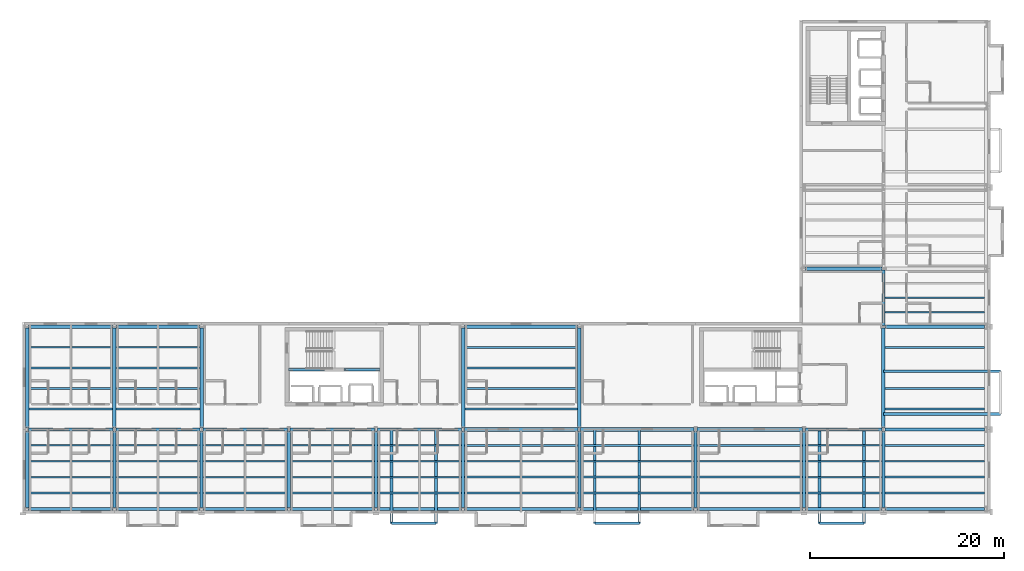
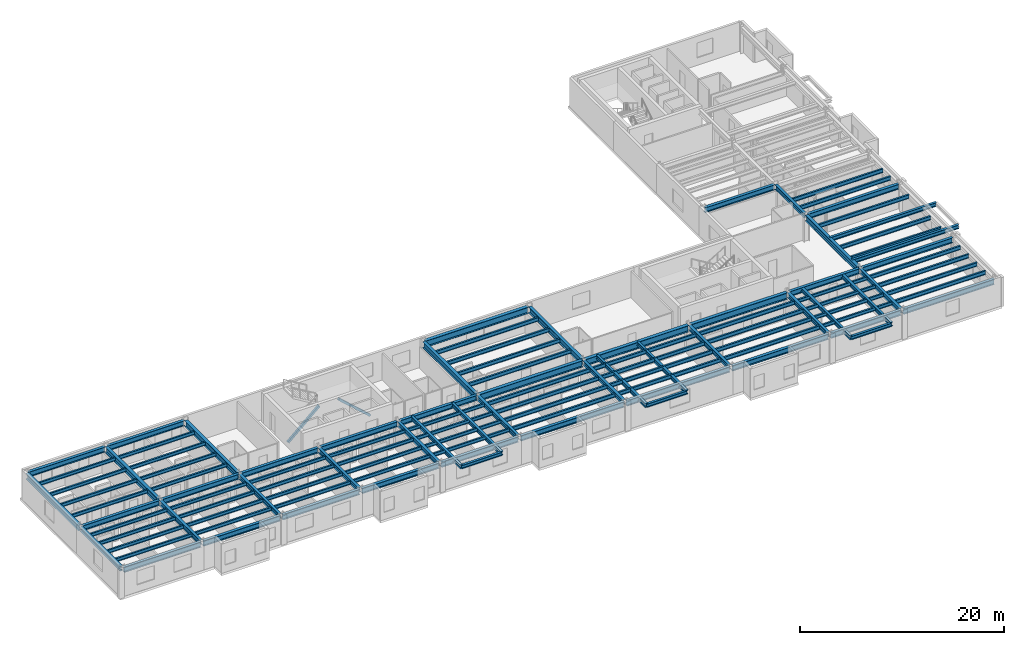
# One storey, part 4 of 17: 110 beams, 2 members.
"""IFC4 building model written with IfcOpenShell, lengths in metres."""

from ifc_helpers import new_model, si_unit, direction, frame, origin, origin_2d, place, context, subcontext, project, spatial, hollow_rectangle, i_section, extrude, material, material_profile, profile_set, type_object, element, save


model = new_model("IFC4")

# Units and contexts
model_context = context("Model", 3, precision=1e-05, world=origin(), true_north=direction((0.0, 1.0)))
body_context = subcontext(model_context, "Body", "Model", "MODEL_VIEW")
ifc_project = project(units=[si_unit("LENGTHUNIT", "METRE"), si_unit("AREAUNIT", "SQUARE_METRE"), si_unit("VOLUMEUNIT", "CUBIC_METRE"), si_unit("PLANEANGLEUNIT", "RADIAN"), si_unit("MASSUNIT", "GRAM", prefix="KILO")], contexts=[model_context])

# Site, building, storey
site_placement = place(None, origin())
site = spatial("IfcSite", under=ifc_project, at=site_placement, CompositionType="ELEMENT")
building_placement = place(site_placement, origin())
building = spatial("IfcBuilding", under=site, at=building_placement, Name="Sollismere Congress Hotel", CompositionType="ELEMENT")
storey_placement = place(building_placement, frame((0.0, 0.0, 37.60009765625)))
storey = spatial("IfcBuildingStorey", under=building, at=storey_placement, Name="L09", CompositionType="ELEMENT", Elevation=37.60009765625)

# Beams
ifc_material_1 = material(Name="Steel ASTM A992 Grade 50", Category="steel")
ifc_material_profile_1 = material_profile(ifc_material_1, i_section(OverallWidth=0.281982421875, OverallDepth=0.471923828125, WebThickness=0.013671875, FlangeThickness=0.022216796875, at=origin_2d()), Name="W18X97")
ifc_profile_set_1 = profile_set([ifc_material_profile_1], Name="Steel ASTM A992 Grade 50")
beam_type_1 = type_object("IfcBeamType", Name="BM-CK18E", PredefinedType="BEAM", material=ifc_profile_set_1)
for number, where, z_axis, x_axis, name in (
    (1, (104.60009765625, 8.199951171875, 2.989013671875), (0.0, -1.0, 0.0), (1.0, 0.0, 0.0), "Beam BM-L09-4033"),
    (2, (109.199951171875, 8.199951171875, 2.989013671875), (0.0, -1.0, 0.0), (1.0, 0.0, 0.0), "Beam BM-L09-4034"),
    (3, (125.60009765625, 8.199951171875, 2.989013671875), (0.0, -1.0, 0.0), (1.0, 0.0, 0.0), "Beam BM-L09-4036"),
    (4, (130.199951171875, 8.199951171875, 2.989013671875), (0.0, -1.0, 0.0), (1.0, 0.0, 0.0), "Beam BM-L09-4037"),
    (5, (148.800048828125, 8.199951171875, 2.989013671875), (0.0, -1.0, 0.0), (1.0, 0.0, 0.0), "Beam BM-L09-4039"),
    (6, (153.39990234375, 8.199951171875, 2.989013671875), (0.0, -1.0, 0.0), (1.0, 0.0, 0.0), "Beam BM-L09-4040"),
):
    element("IfcBeam", number, at=place(storey_placement, frame(where, z_axis=z_axis, x_axis=x_axis)), inside=storey, type_object=beam_type_1, Name=name, PredefinedType="BEAM", context=body_context, shape_type="SweptSolid", body=[
        extrude(i_section(OverallWidth=0.281982421875, OverallDepth=0.471923828125, WebThickness=0.013671875, FlangeThickness=0.022216796875, at=origin_2d()), origin(), (0.0, 0.0, 1.0), 9.68994140625),
    ])
for number, where, z_axis, x_axis, name in (
    (7, (155.39990234375, 9.800048828125, 2.989013671875), (1.0, 0.0, 0.0), (0.0, 1.0, 0.0), "Beam BM-L09-4042"),
    (8, (155.39990234375, 14.199951171875, 2.989013671875), (1.0, 0.0, 0.0), (0.0, 1.0, 0.0), "Beam BM-L09-4043"),
):
    element("IfcBeam", number, at=place(storey_placement, frame(where, z_axis=z_axis, x_axis=x_axis)), inside=storey, type_object=beam_type_1, Name=name, PredefinedType="BEAM", context=body_context, shape_type="SweptSolid", body=[
        extrude(i_section(OverallWidth=0.281982421875, OverallDepth=0.471923828125, WebThickness=0.013671875, FlangeThickness=0.022216796875, at=origin_2d()), origin(), (0.0, 0.0, 1.0), 12.090087890625),
    ])
ifc_material_profile_2 = material_profile(ifc_material_1, i_section(OverallWidth=0.31494140625, OverallDepth=0.551025390625, WebThickness=0.01513671875, FlangeThickness=0.0244140625, at=origin_2d()), Name="W21X122")
ifc_profile_set_2 = profile_set([ifc_material_profile_2], Name="Steel ASTM A992 Grade 50")
beam_type_2 = type_object("IfcBeamType", Name="BM-G21H", PredefinedType="BEAM", material=ifc_profile_set_2)
for number, where, z_axis, x_axis, name in (
    (9, (67.0, 0.139892578125, 2.949462890625), (0.0, 1.0, 0.0), (-1.0, 0.0, 0.0), "Beam BM-L09-3555"),
    (10, (76.0, 0.139892578125, 2.949462890625), (0.0, 1.0, 0.0), (-1.0, 0.0, 0.0), "Beam BM-L09-3557"),
    (11, (85.0, 0.139892578125, 2.949462890625), (0.0, 1.0, 0.0), (-1.0, 0.0, 0.0), "Beam BM-L09-3559"),
    (12, (94.0, 0.139892578125, 2.949462890625), (0.0, 1.0, 0.0), (-1.0, 0.0, 0.0), "Beam BM-L09-3561"),
    (13, (103.0, 0.139892578125, 2.949462890625), (0.0, 1.0, 0.0), (-1.0, 0.0, 0.0), "Beam BM-L09-3562"),
    (14, (112.0, 0.139892578125, 2.949462890625), (0.0, 1.0, 0.0), (-1.0, 0.0, 0.0), "Beam BM-L09-3563"),
    (15, (124.0, 0.139892578125, 2.949462890625), (0.0, 1.0, 0.0), (-1.0, 0.0, 0.0), "Beam BM-L09-3565"),
    (16, (136.0, 0.139892578125, 2.949462890625), (0.0, 1.0, 0.0), (-1.0, 0.0, 0.0), "Beam BM-L09-3567"),
    (17, (147.199951171875, 0.139892578125, 2.949462890625), (0.0, 1.0, 0.0), (-1.0, 0.0, 0.0), "Beam BM-L09-3568"),
    (18, (155.39990234375, 0.139892578125, 2.949462890625), (0.0, 1.0, 0.0), (-1.0, 0.0, 0.0), "Beam BM-L09-3570"),
):
    element("IfcBeam", number, at=place(storey_placement, frame(where, z_axis=z_axis, x_axis=x_axis)), inside=storey, type_object=beam_type_2, Name=name, PredefinedType="BEAM", context=body_context, shape_type="SweptSolid", body=[
        extrude(i_section(OverallWidth=0.31494140625, OverallDepth=0.551025390625, WebThickness=0.01513671875, FlangeThickness=0.0244140625, at=origin_2d()), origin(), (0.0, 0.0, 1.0), 7.920166015625),
    ])
beam_1_placement = place(storey_placement, frame((155.39990234375, 18.93994140625, 2.949462890625), z_axis=(0.0, 1.0, 0.0), x_axis=(-1.0, 0.0, 0.0)))
element("IfcBeam", 19, at=beam_1_placement, inside=storey, type_object=beam_type_2, Name="Beam BM-L09-3572", PredefinedType="BEAM", context=body_context, shape_type="SweptSolid", body=[
    extrude(i_section(OverallWidth=0.31494140625, OverallDepth=0.551025390625, WebThickness=0.01513671875, FlangeThickness=0.0244140625, at=origin_2d()), origin(), (0.0, 0.0, 1.0), 5.719970703125),
])
ifc_material_profile_3 = material_profile(ifc_material_1, i_section(OverallWidth=0.324951171875, OverallDepth=0.612060546875, WebThickness=0.0126953125, FlangeThickness=0.01904296875, at=origin_2d()), Name="W24X104")
ifc_profile_set_3 = profile_set([ifc_material_profile_3], Name="Steel ASTM A992 Grade 50")
beam_type_3 = type_object("IfcBeamType", Name="BM-G24", PredefinedType="BEAM", material=ifc_profile_set_3)
for number, where, z_axis, x_axis, name in (
    (20, (67.139892578125, 8.199951171875, 2.9189453125), (1.0, 0.0, 0.0), (0.0, 1.0, 0.0), "Beam BM-L09-3537"),
    (21, (76.139892578125, 8.199951171875, 2.9189453125), (1.0, 0.0, 0.0), (0.0, 1.0, 0.0), "Beam BM-L09-3538"),
    (22, (85.139892578125, 8.199951171875, 2.9189453125), (1.0, 0.0, 0.0), (0.0, 1.0, 0.0), "Beam BM-L09-3539"),
    (23, (94.139892578125, 8.199951171875, 2.9189453125), (1.0, 0.0, 0.0), (0.0, 1.0, 0.0), "Beam BM-L09-3540"),
    (24, (103.139892578125, 8.199951171875, 2.9189453125), (1.0, 0.0, 0.0), (0.0, 1.0, 0.0), "Beam BM-L09-3541"),
):
    element("IfcBeam", number, at=place(storey_placement, frame(where, z_axis=z_axis, x_axis=x_axis)), inside=storey, type_object=beam_type_3, Name=name, PredefinedType="BEAM", context=body_context, shape_type="SweptSolid", body=[
        extrude(i_section(OverallWidth=0.324951171875, OverallDepth=0.612060546875, WebThickness=0.0126953125, FlangeThickness=0.01904296875, at=origin_2d()), origin(), (0.0, 0.0, 1.0), 8.72021484375),
    ])
beam_2_placement = place(storey_placement, frame((147.340087890625, 8.199951171875, 2.9189453125), z_axis=(1.0, 0.0, 0.0), x_axis=(0.0, 1.0, 0.0)))
element("IfcBeam", 25, at=beam_2_placement, inside=storey, type_object=beam_type_3, Name="Beam BM-L09-3545", PredefinedType="BEAM", context=body_context, shape_type="SweptSolid", body=[
    extrude(i_section(OverallWidth=0.324951171875, OverallDepth=0.612060546875, WebThickness=0.0126953125, FlangeThickness=0.01904296875, at=origin_2d()), origin(), (0.0, 0.0, 1.0), 7.919921875),
])
beam_3_placement = place(storey_placement, frame((155.5400390625, 8.199951171875, 2.9189453125), z_axis=(1.0, 0.0, 0.0), x_axis=(0.0, 1.0, 0.0)))
element("IfcBeam", 26, at=beam_3_placement, inside=storey, type_object=beam_type_3, Name="Beam BM-L09-3546", PredefinedType="BEAM", context=body_context, shape_type="SweptSolid", body=[
    extrude(i_section(OverallWidth=0.324951171875, OverallDepth=0.612060546875, WebThickness=0.0126953125, FlangeThickness=0.01904296875, at=origin_2d()), origin(), (0.0, 0.0, 1.0), 10.320068359375),
])
for number, where, z_axis, x_axis, name in (
    (27, (67.139892578125, 18.800048828125, 2.9189453125), (1.0, 0.0, 0.0), (0.0, 1.0, 0.0), "Beam BM-L09-3547"),
    (28, (76.139892578125, 18.800048828125, 2.9189453125), (1.0, 0.0, 0.0), (0.0, 1.0, 0.0), "Beam BM-L09-3548"),
):
    element("IfcBeam", number, at=place(storey_placement, frame(where, z_axis=z_axis, x_axis=x_axis)), inside=storey, type_object=beam_type_3, Name=name, PredefinedType="BEAM", context=body_context, shape_type="SweptSolid", body=[
        extrude(i_section(OverallWidth=0.324951171875, OverallDepth=0.612060546875, WebThickness=0.0126953125, FlangeThickness=0.01904296875, at=origin_2d()), origin(), (0.0, 0.0, 1.0), 8.72021484375),
    ])
beam_4_placement = place(storey_placement, frame((155.5400390625, 18.800048828125, 2.9189453125), z_axis=(1.0, 0.0, 0.0), x_axis=(0.0, 1.0, 0.0)))
element("IfcBeam", 29, at=beam_4_placement, inside=storey, type_object=beam_type_3, Name="Beam BM-L09-3550", PredefinedType="BEAM", context=body_context, shape_type="SweptSolid", body=[
    extrude(i_section(OverallWidth=0.324951171875, OverallDepth=0.612060546875, WebThickness=0.0126953125, FlangeThickness=0.01904296875, at=origin_2d()), origin(), (0.0, 0.0, 1.0), 10.320068359375),
])
beam_5_placement = place(storey_placement, frame((147.340087890625, 24.800048828125, 2.9189453125), z_axis=(1.0, 0.0, 0.0), x_axis=(0.0, 1.0, 0.0)))
element("IfcBeam", 30, at=beam_5_placement, inside=storey, type_object=beam_type_3, Name="Beam BM-L09-3551", PredefinedType="BEAM", context=body_context, shape_type="SweptSolid", body=[
    extrude(i_section(OverallWidth=0.324951171875, OverallDepth=0.612060546875, WebThickness=0.0126953125, FlangeThickness=0.01904296875, at=origin_2d()), origin(), (0.0, 0.0, 1.0), 7.919921875),
])
ifc_material_profile_4 = material_profile(ifc_material_1, i_section(OverallWidth=0.35595703125, OverallDepth=0.696044921875, WebThickness=0.015380859375, FlangeThickness=0.025146484375, at=origin_2d()), Name="W27X146")
ifc_profile_set_4 = profile_set([ifc_material_profile_4], Name="Steel ASTM A992 Grade 50")
beam_type_4 = type_object("IfcBeamType", Name="BM-G27", PredefinedType="BEAM", material=ifc_profile_set_4)
for number, where, z_axis, x_axis, name in (
    (31, (67.0, 8.340087890625, 2.876953125), (0.0, 1.0, 0.0), (-1.0, 0.0, 0.0), "Beam BM-L09-3556"),
    (32, (76.0, 8.340087890625, 2.876953125), (0.0, 1.0, 0.0), (-1.0, 0.0, 0.0), "Beam BM-L09-3558"),
    (33, (85.0, 8.340087890625, 2.876953125), (0.0, 1.0, 0.0), (-1.0, 0.0, 0.0), "Beam BM-L09-3560"),
    (34, (112.0, 8.340087890625, 2.876953125), (0.0, 1.0, 0.0), (-1.0, 0.0, 0.0), "Beam BM-L09-3564"),
    (35, (124.0, 8.340087890625, 2.876953125), (0.0, 1.0, 0.0), (-1.0, 0.0, 0.0), "Beam BM-L09-3566"),
    (36, (155.39990234375, 8.340087890625, 2.876953125), (0.0, 1.0, 0.0), (-1.0, 0.0, 0.0), "Beam BM-L09-3571"),
):
    element("IfcBeam", number, at=place(storey_placement, frame(where, z_axis=z_axis, x_axis=x_axis)), inside=storey, type_object=beam_type_4, Name=name, PredefinedType="BEAM", context=body_context, shape_type="SweptSolid", body=[
        extrude(i_section(OverallWidth=0.35595703125, OverallDepth=0.696044921875, WebThickness=0.015380859375, FlangeThickness=0.025146484375, at=origin_2d()), origin(), (0.0, 0.0, 1.0), 10.31982421875),
    ])
ifc_material_profile_5 = material_profile(ifc_material_1, i_section(OverallWidth=0.384033203125, OverallDepth=0.787109375, WebThickness=0.019775390625, FlangeThickness=0.033447265625, at=origin_2d()), Name="W30X211")
ifc_profile_set_5 = profile_set([ifc_material_profile_5], Name="Steel ASTM A992 Grade 50")
beam_type_5 = type_object("IfcBeamType", Name="BM-G30", PredefinedType="BEAM", material=ifc_profile_set_5)
for number, where, z_axis, x_axis, name in (
    (37, (112.139892578125, 8.199951171875, 2.831298828125), (1.0, 0.0, 0.0), (0.0, 1.0, 0.0), "Beam BM-L09-3542"),
    (38, (124.139892578125, 8.199951171875, 2.831298828125), (1.0, 0.0, 0.0), (0.0, 1.0, 0.0), "Beam BM-L09-3543"),
):
    element("IfcBeam", number, at=place(storey_placement, frame(where, z_axis=z_axis, x_axis=x_axis)), inside=storey, type_object=beam_type_5, Name=name, PredefinedType="BEAM", context=body_context, shape_type="SweptSolid", body=[
        extrude(i_section(OverallWidth=0.384033203125, OverallDepth=0.787109375, WebThickness=0.019775390625, FlangeThickness=0.033447265625, at=origin_2d()), origin(), (0.0, 0.0, 1.0), 11.72021484375),
    ])
beam_6_placement = place(storey_placement, frame((136.139892578125, 8.199951171875, 2.831298828125), z_axis=(1.0, 0.0, 0.0), x_axis=(0.0, 1.0, 0.0)))
element("IfcBeam", 39, at=beam_6_placement, inside=storey, type_object=beam_type_5, Name="Beam BM-L09-3544", PredefinedType="BEAM", context=body_context, shape_type="SweptSolid", body=[
    extrude(i_section(OverallWidth=0.384033203125, OverallDepth=0.787109375, WebThickness=0.019775390625, FlangeThickness=0.033447265625, at=origin_2d()), origin(), (0.0, 0.0, 1.0), 10.920166015625),
])
beam_7_placement = place(storey_placement, frame((112.139892578125, 18.800048828125, 2.831298828125), z_axis=(1.0, 0.0, 0.0), x_axis=(0.0, 1.0, 0.0)))
element("IfcBeam", 40, at=beam_7_placement, inside=storey, type_object=beam_type_5, Name="Beam BM-L09-3549", PredefinedType="BEAM", context=body_context, shape_type="SweptSolid", body=[
    extrude(i_section(OverallWidth=0.384033203125, OverallDepth=0.787109375, WebThickness=0.019775390625, FlangeThickness=0.033447265625, at=origin_2d()), origin(), (0.0, 0.0, 1.0), 11.72021484375),
])
ifc_material_profile_6 = material_profile(ifc_material_1, i_section(OverallWidth=0.180908203125, OverallDepth=0.4169921875, WebThickness=0.010986328125, FlangeThickness=0.018310546875, at=origin_2d()), Name="W16X57")
ifc_profile_set_6 = profile_set([ifc_material_profile_6], Name="Steel ASTM A992 Grade 50")
beam_type_6 = type_object("IfcBeamType", Name="BM-J16", PredefinedType="JOIST", material=ifc_profile_set_6)
for number, where, z_axis, x_axis, name in (
    (41, (67.157470703125, 1.639892578125, 3.016357421875), (1.0, 0.0, 0.0), (0.0, 1.0, 0.0), "Beam BM-L09-3580"),
    (42, (67.157470703125, 3.280029296875, 3.016357421875), (1.0, 0.0, 0.0), (0.0, 1.0, 0.0), "Beam BM-L09-3581"),
    (43, (67.157470703125, 4.919921875, 3.016357421875), (1.0, 0.0, 0.0), (0.0, 1.0, 0.0), "Beam BM-L09-3582"),
    (44, (67.157470703125, 6.56005859375, 3.016357421875), (1.0, 0.0, 0.0), (0.0, 1.0, 0.0), "Beam BM-L09-3583"),
):
    element("IfcBeam", number, at=place(storey_placement, frame(where, z_axis=z_axis, x_axis=x_axis)), inside=storey, type_object=beam_type_6, Name=name, PredefinedType="JOIST", context=body_context, shape_type="SweptSolid", body=[
        extrude(i_section(OverallWidth=0.180908203125, OverallDepth=0.4169921875, WebThickness=0.010986328125, FlangeThickness=0.018310546875, at=origin_2d()), origin(), (0.0, 0.0, 1.0), 8.68505859375),
    ])
for number, where, z_axis, x_axis, name in (
    (45, (67.177978515625, 10.320068359375, 3.016357421875), (1.0, 0.0, 0.0), (0.0, 1.0, 0.0), "Beam BM-L09-3584"),
    (46, (67.177978515625, 12.43994140625, 3.016357421875), (1.0, 0.0, 0.0), (0.0, 1.0, 0.0), "Beam BM-L09-3585"),
    (47, (67.177978515625, 14.56005859375, 3.016357421875), (1.0, 0.0, 0.0), (0.0, 1.0, 0.0), "Beam BM-L09-3586"),
    (48, (67.177978515625, 16.679931640625, 3.016357421875), (1.0, 0.0, 0.0), (0.0, 1.0, 0.0), "Beam BM-L09-3587"),
):
    element("IfcBeam", number, at=place(storey_placement, frame(where, z_axis=z_axis, x_axis=x_axis)), inside=storey, type_object=beam_type_6, Name=name, PredefinedType="JOIST", context=body_context, shape_type="SweptSolid", body=[
        extrude(i_section(OverallWidth=0.180908203125, OverallDepth=0.4169921875, WebThickness=0.010986328125, FlangeThickness=0.018310546875, at=origin_2d()), origin(), (0.0, 0.0, 1.0), 8.64404296875),
    ])
for number, where, z_axis, x_axis, name in (
    (49, (76.157470703125, 1.639892578125, 3.016357421875), (1.0, 0.0, 0.0), (0.0, 1.0, 0.0), "Beam BM-L09-3588"),
    (50, (76.157470703125, 3.280029296875, 3.016357421875), (1.0, 0.0, 0.0), (0.0, 1.0, 0.0), "Beam BM-L09-3589"),
    (51, (76.157470703125, 4.919921875, 3.016357421875), (1.0, 0.0, 0.0), (0.0, 1.0, 0.0), "Beam BM-L09-3590"),
    (52, (76.157470703125, 6.56005859375, 3.016357421875), (1.0, 0.0, 0.0), (0.0, 1.0, 0.0), "Beam BM-L09-3591"),
):
    element("IfcBeam", number, at=place(storey_placement, frame(where, z_axis=z_axis, x_axis=x_axis)), inside=storey, type_object=beam_type_6, Name=name, PredefinedType="JOIST", context=body_context, shape_type="SweptSolid", body=[
        extrude(i_section(OverallWidth=0.180908203125, OverallDepth=0.4169921875, WebThickness=0.010986328125, FlangeThickness=0.018310546875, at=origin_2d()), origin(), (0.0, 0.0, 1.0), 8.68505859375),
    ])
for number, where, z_axis, x_axis, name in (
    (53, (76.177978515625, 10.320068359375, 3.016357421875), (1.0, 0.0, 0.0), (0.0, 1.0, 0.0), "Beam BM-L09-3592"),
    (54, (76.177978515625, 12.43994140625, 3.016357421875), (1.0, 0.0, 0.0), (0.0, 1.0, 0.0), "Beam BM-L09-3593"),
    (55, (76.177978515625, 14.56005859375, 3.016357421875), (1.0, 0.0, 0.0), (0.0, 1.0, 0.0), "Beam BM-L09-3594"),
    (56, (76.177978515625, 16.679931640625, 3.016357421875), (1.0, 0.0, 0.0), (0.0, 1.0, 0.0), "Beam BM-L09-3595"),
):
    element("IfcBeam", number, at=place(storey_placement, frame(where, z_axis=z_axis, x_axis=x_axis)), inside=storey, type_object=beam_type_6, Name=name, PredefinedType="JOIST", context=body_context, shape_type="SweptSolid", body=[
        extrude(i_section(OverallWidth=0.180908203125, OverallDepth=0.4169921875, WebThickness=0.010986328125, FlangeThickness=0.018310546875, at=origin_2d()), origin(), (0.0, 0.0, 1.0), 8.64404296875),
    ])
for number, where, z_axis, x_axis, name in (
    (57, (85.157470703125, 1.639892578125, 3.016357421875), (1.0, 0.0, 0.0), (0.0, 1.0, 0.0), "Beam BM-L09-3596"),
    (58, (85.157470703125, 3.280029296875, 3.016357421875), (1.0, 0.0, 0.0), (0.0, 1.0, 0.0), "Beam BM-L09-3597"),
    (59, (85.157470703125, 4.919921875, 3.016357421875), (1.0, 0.0, 0.0), (0.0, 1.0, 0.0), "Beam BM-L09-3598"),
    (60, (85.157470703125, 6.56005859375, 3.016357421875), (1.0, 0.0, 0.0), (0.0, 1.0, 0.0), "Beam BM-L09-3599"),
    (61, (94.157470703125, 1.639892578125, 3.016357421875), (1.0, 0.0, 0.0), (0.0, 1.0, 0.0), "Beam BM-L09-3600"),
    (62, (94.157470703125, 3.280029296875, 3.016357421875), (1.0, 0.0, 0.0), (0.0, 1.0, 0.0), "Beam BM-L09-3601"),
    (63, (94.157470703125, 4.919921875, 3.016357421875), (1.0, 0.0, 0.0), (0.0, 1.0, 0.0), "Beam BM-L09-3602"),
    (64, (94.157470703125, 6.56005859375, 3.016357421875), (1.0, 0.0, 0.0), (0.0, 1.0, 0.0), "Beam BM-L09-3603"),
    (65, (103.157470703125, 1.639892578125, 3.016357421875), (1.0, 0.0, 0.0), (0.0, 1.0, 0.0), "Beam BM-L09-3604"),
    (66, (103.157470703125, 3.280029296875, 3.016357421875), (1.0, 0.0, 0.0), (0.0, 1.0, 0.0), "Beam BM-L09-3605"),
    (67, (103.157470703125, 4.919921875, 3.016357421875), (1.0, 0.0, 0.0), (0.0, 1.0, 0.0), "Beam BM-L09-3606"),
    (68, (103.157470703125, 6.56005859375, 3.016357421875), (1.0, 0.0, 0.0), (0.0, 1.0, 0.0), "Beam BM-L09-3607"),
):
    element("IfcBeam", number, at=place(storey_placement, frame(where, z_axis=z_axis, x_axis=x_axis)), inside=storey, type_object=beam_type_6, Name=name, PredefinedType="JOIST", context=body_context, shape_type="SweptSolid", body=[
        extrude(i_section(OverallWidth=0.180908203125, OverallDepth=0.4169921875, WebThickness=0.010986328125, FlangeThickness=0.018310546875, at=origin_2d()), origin(), (0.0, 0.0, 1.0), 8.68505859375),
    ])
for number, where, z_axis, x_axis, name in (
    (69, (147.357421875, 1.639892578125, 3.016357421875), (1.0, 0.0, 0.0), (0.0, 1.0, 0.0), "Beam BM-L09-3624"),
    (70, (147.357421875, 3.280029296875, 3.016357421875), (1.0, 0.0, 0.0), (0.0, 1.0, 0.0), "Beam BM-L09-3625"),
    (71, (147.357421875, 4.919921875, 3.016357421875), (1.0, 0.0, 0.0), (0.0, 1.0, 0.0), "Beam BM-L09-3626"),
    (72, (147.357421875, 6.56005859375, 3.016357421875), (1.0, 0.0, 0.0), (0.0, 1.0, 0.0), "Beam BM-L09-3627"),
):
    element("IfcBeam", number, at=place(storey_placement, frame(where, z_axis=z_axis, x_axis=x_axis)), inside=storey, type_object=beam_type_6, Name=name, PredefinedType="JOIST", context=body_context, shape_type="SweptSolid", body=[
        extrude(i_section(OverallWidth=0.180908203125, OverallDepth=0.4169921875, WebThickness=0.010986328125, FlangeThickness=0.018310546875, at=origin_2d()), origin(), (0.0, 0.0, 1.0), 7.885009765625),
    ])
ifc_material_profile_7 = material_profile(ifc_material_1, i_section(OverallWidth=0.193115234375, OverallDepth=0.467041015625, WebThickness=0.011474609375, FlangeThickness=0.01904296875, at=origin_2d()), Name="W18X65")
ifc_profile_set_7 = profile_set([ifc_material_profile_7], Name="Steel ASTM A992 Grade 50")
beam_type_7 = type_object("IfcBeamType", Name="BM-J18", PredefinedType="JOIST", material=ifc_profile_set_7)
for number, where, z_axis, x_axis, name in (
    (73, (112.157470703125, 1.639892578125, 2.991455078125), (1.0, 0.0, 0.0), (0.0, 1.0, 0.0), "Beam BM-L09-3608"),
    (74, (112.157470703125, 3.280029296875, 2.991455078125), (1.0, 0.0, 0.0), (0.0, 1.0, 0.0), "Beam BM-L09-3609"),
    (75, (112.157470703125, 4.919921875, 2.991455078125), (1.0, 0.0, 0.0), (0.0, 1.0, 0.0), "Beam BM-L09-3610"),
    (76, (112.157470703125, 6.56005859375, 2.991455078125), (1.0, 0.0, 0.0), (0.0, 1.0, 0.0), "Beam BM-L09-3611"),
):
    element("IfcBeam", number, at=place(storey_placement, frame(where, z_axis=z_axis, x_axis=x_axis)), inside=storey, type_object=beam_type_7, Name=name, PredefinedType="JOIST", context=body_context, shape_type="SweptSolid", body=[
        extrude(i_section(OverallWidth=0.193115234375, OverallDepth=0.467041015625, WebThickness=0.011474609375, FlangeThickness=0.01904296875, at=origin_2d()), origin(), (0.0, 0.0, 1.0), 11.68505859375),
    ])
for number, where, z_axis, x_axis, name in (
    (77, (112.177978515625, 10.320068359375, 2.991455078125), (1.0, 0.0, 0.0), (0.0, 1.0, 0.0), "Beam BM-L09-3612"),
    (78, (112.177978515625, 12.43994140625, 2.991455078125), (1.0, 0.0, 0.0), (0.0, 1.0, 0.0), "Beam BM-L09-3613"),
    (79, (112.177978515625, 14.56005859375, 2.991455078125), (1.0, 0.0, 0.0), (0.0, 1.0, 0.0), "Beam BM-L09-3614"),
    (80, (112.177978515625, 16.679931640625, 2.991455078125), (1.0, 0.0, 0.0), (0.0, 1.0, 0.0), "Beam BM-L09-3615"),
):
    element("IfcBeam", number, at=place(storey_placement, frame(where, z_axis=z_axis, x_axis=x_axis)), inside=storey, type_object=beam_type_7, Name=name, PredefinedType="JOIST", context=body_context, shape_type="SweptSolid", body=[
        extrude(i_section(OverallWidth=0.193115234375, OverallDepth=0.467041015625, WebThickness=0.011474609375, FlangeThickness=0.01904296875, at=origin_2d()), origin(), (0.0, 0.0, 1.0), 11.64404296875),
    ])
for number, where, z_axis, x_axis, name in (
    (81, (124.157470703125, 1.639892578125, 2.991455078125), (1.0, 0.0, 0.0), (0.0, 1.0, 0.0), "Beam BM-L09-3616"),
    (82, (124.157470703125, 3.280029296875, 2.991455078125), (1.0, 0.0, 0.0), (0.0, 1.0, 0.0), "Beam BM-L09-3617"),
    (83, (124.157470703125, 4.919921875, 2.991455078125), (1.0, 0.0, 0.0), (0.0, 1.0, 0.0), "Beam BM-L09-3618"),
    (84, (124.157470703125, 6.56005859375, 2.991455078125), (1.0, 0.0, 0.0), (0.0, 1.0, 0.0), "Beam BM-L09-3619"),
):
    element("IfcBeam", number, at=place(storey_placement, frame(where, z_axis=z_axis, x_axis=x_axis)), inside=storey, type_object=beam_type_7, Name=name, PredefinedType="JOIST", context=body_context, shape_type="SweptSolid", body=[
        extrude(i_section(OverallWidth=0.193115234375, OverallDepth=0.467041015625, WebThickness=0.011474609375, FlangeThickness=0.01904296875, at=origin_2d()), origin(), (0.0, 0.0, 1.0), 11.68505859375),
    ])
for number, where, z_axis, x_axis, name in (
    (85, (136.157470703125, 1.639892578125, 2.991455078125), (1.0, 0.0, 0.0), (0.0, 1.0, 0.0), "Beam BM-L09-3620"),
    (86, (136.157470703125, 3.280029296875, 2.991455078125), (1.0, 0.0, 0.0), (0.0, 1.0, 0.0), "Beam BM-L09-3621"),
    (87, (136.157470703125, 4.919921875, 2.991455078125), (1.0, 0.0, 0.0), (0.0, 1.0, 0.0), "Beam BM-L09-3622"),
    (88, (136.157470703125, 6.56005859375, 2.991455078125), (1.0, 0.0, 0.0), (0.0, 1.0, 0.0), "Beam BM-L09-3623"),
):
    element("IfcBeam", number, at=place(storey_placement, frame(where, z_axis=z_axis, x_axis=x_axis)), inside=storey, type_object=beam_type_7, Name=name, PredefinedType="JOIST", context=body_context, shape_type="SweptSolid", body=[
        extrude(i_section(OverallWidth=0.193115234375, OverallDepth=0.467041015625, WebThickness=0.011474609375, FlangeThickness=0.01904296875, at=origin_2d()), origin(), (0.0, 0.0, 1.0), 10.885009765625),
    ])
for number, where, z_axis, x_axis, name in (
    (89, (155.5576171875, 1.639892578125, 2.991455078125), (1.0, 0.0, 0.0), (0.0, 1.0, 0.0), "Beam BM-L09-3632"),
    (90, (155.5576171875, 3.280029296875, 2.991455078125), (1.0, 0.0, 0.0), (0.0, 1.0, 0.0), "Beam BM-L09-3633"),
    (91, (155.5576171875, 4.919921875, 2.991455078125), (1.0, 0.0, 0.0), (0.0, 1.0, 0.0), "Beam BM-L09-3634"),
    (92, (155.5576171875, 6.56005859375, 2.991455078125), (1.0, 0.0, 0.0), (0.0, 1.0, 0.0), "Beam BM-L09-3635"),
):
    element("IfcBeam", number, at=place(storey_placement, frame(where, z_axis=z_axis, x_axis=x_axis)), inside=storey, type_object=beam_type_7, Name=name, PredefinedType="JOIST", context=body_context, shape_type="SweptSolid", body=[
        extrude(i_section(OverallWidth=0.193115234375, OverallDepth=0.467041015625, WebThickness=0.011474609375, FlangeThickness=0.01904296875, at=origin_2d()), origin(), (0.0, 0.0, 1.0), 10.27734375),
    ])
for number, where, z_axis, x_axis, name in (
    (93, (155.577880859375, 10.320068359375, 2.991455078125), (1.0, 0.0, 0.0), (0.0, 1.0, 0.0), "Beam BM-L09-3636"),
    (94, (155.577880859375, 12.43994140625, 2.991455078125), (1.0, 0.0, 0.0), (0.0, 1.0, 0.0), "Beam BM-L09-3637"),
    (95, (155.577880859375, 16.679931640625, 2.991455078125), (1.0, 0.0, 0.0), (0.0, 1.0, 0.0), "Beam BM-L09-3638"),
):
    element("IfcBeam", number, at=place(storey_placement, frame(where, z_axis=z_axis, x_axis=x_axis)), inside=storey, type_object=beam_type_7, Name=name, PredefinedType="JOIST", context=body_context, shape_type="SweptSolid", body=[
        extrude(i_section(OverallWidth=0.193115234375, OverallDepth=0.467041015625, WebThickness=0.011474609375, FlangeThickness=0.01904296875, at=origin_2d()), origin(), (0.0, 0.0, 1.0), 10.257080078125),
    ])
for number, where, z_axis, x_axis, name in (
    (96, (155.5576171875, 20.300048828125, 2.991455078125), (1.0, 0.0, 0.0), (0.0, 1.0, 0.0), "Beam BM-L09-3639"),
    (97, (155.5576171875, 21.800048828125, 2.991455078125), (1.0, 0.0, 0.0), (0.0, 1.0, 0.0), "Beam BM-L09-3640"),
):
    element("IfcBeam", number, at=place(storey_placement, frame(where, z_axis=z_axis, x_axis=x_axis)), inside=storey, type_object=beam_type_7, Name=name, PredefinedType="JOIST", context=body_context, shape_type="SweptSolid", body=[
        extrude(i_section(OverallWidth=0.193115234375, OverallDepth=0.467041015625, WebThickness=0.011474609375, FlangeThickness=0.01904296875, at=origin_2d()), origin(), (0.0, 0.0, 1.0), 10.27734375),
    ])
ifc_material_profile_8 = material_profile(ifc_material_1, i_section(OverallWidth=0.261962890625, OverallDepth=0.4189453125, WebThickness=0.01171875, FlangeThickness=0.019287109375, at=origin_2d()), Name="W16X77")
ifc_profile_set_8 = profile_set([ifc_material_profile_8], Name="Steel ASTM A992 Grade 50")
beam_type_8 = type_object("IfcBeamType", Name="BM-LN16E", PredefinedType="LINTEL", material=ifc_profile_set_8)
for number, where, z_axis, x_axis, name in (
    (98, (104.60009765625, -1.489990234375, 3.015380859375), (1.0, 0.0, 0.0), (0.0, 1.0, 0.0), "Beam BM-L09-4035"),
    (99, (125.60009765625, -1.489990234375, 3.015380859375), (1.0, 0.0, 0.0), (0.0, 1.0, 0.0), "Beam BM-L09-4038"),
    (100, (148.800048828125, -1.489990234375, 3.015380859375), (1.0, 0.0, 0.0), (0.0, 1.0, 0.0), "Beam BM-L09-4041"),
):
    element("IfcBeam", number, at=place(storey_placement, frame(where, z_axis=z_axis, x_axis=x_axis)), inside=storey, type_object=beam_type_8, Name=name, PredefinedType="LINTEL", context=body_context, shape_type="SweptSolid", body=[
        extrude(i_section(OverallWidth=0.261962890625, OverallDepth=0.4189453125, WebThickness=0.01171875, FlangeThickness=0.019287109375, at=origin_2d()), origin(), (0.0, 0.0, 1.0), 4.599853515625),
    ])
ifc_material_profile_9 = material_profile(ifc_material_1, i_section(OverallWidth=0.330078125, OverallDepth=0.635009765625, WebThickness=0.017822265625, FlangeThickness=0.031005859375, at=origin_2d()), Name="W24X162")
ifc_profile_set_9 = profile_set([ifc_material_profile_9], Name="Steel ASTM A992 Grade 50")
beam_type_9 = type_object("IfcBeamType", Name="BM-SP24E", PredefinedType="SPANDREL", material=ifc_profile_set_9)
for number, where, z_axis, x_axis, name in (
    (101, (67.139892578125, 0.0, 2.907470703125), (1.0, 0.0, 0.0), (0.0, 1.0, 0.0), "Beam BM-L09-3527"),
    (102, (76.139892578125, 0.0, 2.907470703125), (1.0, 0.0, 0.0), (0.0, 1.0, 0.0), "Beam BM-L09-3528"),
    (103, (85.139892578125, 0.0, 2.907470703125), (1.0, 0.0, 0.0), (0.0, 1.0, 0.0), "Beam BM-L09-3529"),
    (104, (94.139892578125, 0.0, 2.907470703125), (1.0, 0.0, 0.0), (0.0, 1.0, 0.0), "Beam BM-L09-3530"),
    (105, (103.139892578125, 0.0, 2.907470703125), (1.0, 0.0, 0.0), (0.0, 1.0, 0.0), "Beam BM-L09-3531"),
):
    element("IfcBeam", number, at=place(storey_placement, frame(where, z_axis=z_axis, x_axis=x_axis)), inside=storey, type_object=beam_type_9, Name=name, PredefinedType="SPANDREL", context=body_context, shape_type="SweptSolid", body=[
        extrude(i_section(OverallWidth=0.330078125, OverallDepth=0.635009765625, WebThickness=0.017822265625, FlangeThickness=0.031005859375, at=origin_2d()), origin(), (0.0, 0.0, 1.0), 8.72021484375),
    ])
for number, where, z_axis, x_axis, name in (
    (106, (112.139892578125, 0.0, 2.907470703125), (1.0, 0.0, 0.0), (0.0, 1.0, 0.0), "Beam BM-L09-3532"),
    (107, (124.139892578125, 0.0, 2.907470703125), (1.0, 0.0, 0.0), (0.0, 1.0, 0.0), "Beam BM-L09-3533"),
):
    element("IfcBeam", number, at=place(storey_placement, frame(where, z_axis=z_axis, x_axis=x_axis)), inside=storey, type_object=beam_type_9, Name=name, PredefinedType="SPANDREL", context=body_context, shape_type="SweptSolid", body=[
        extrude(i_section(OverallWidth=0.330078125, OverallDepth=0.635009765625, WebThickness=0.017822265625, FlangeThickness=0.031005859375, at=origin_2d()), origin(), (0.0, 0.0, 1.0), 11.72021484375),
    ])
beam_8_placement = place(storey_placement, frame((136.139892578125, 0.0, 2.907470703125), z_axis=(1.0, 0.0, 0.0), x_axis=(0.0, 1.0, 0.0)))
element("IfcBeam", 108, at=beam_8_placement, inside=storey, type_object=beam_type_9, Name="Beam BM-L09-3534", PredefinedType="SPANDREL", context=body_context, shape_type="SweptSolid", body=[
    extrude(i_section(OverallWidth=0.330078125, OverallDepth=0.635009765625, WebThickness=0.017822265625, FlangeThickness=0.031005859375, at=origin_2d()), origin(), (0.0, 0.0, 1.0), 10.920166015625),
])
beam_9_placement = place(storey_placement, frame((147.340087890625, 0.0, 2.907470703125), z_axis=(1.0, 0.0, 0.0), x_axis=(0.0, 1.0, 0.0)))
element("IfcBeam", 109, at=beam_9_placement, inside=storey, type_object=beam_type_9, Name="Beam BM-L09-3535", PredefinedType="SPANDREL", context=body_context, shape_type="SweptSolid", body=[
    extrude(i_section(OverallWidth=0.330078125, OverallDepth=0.635009765625, WebThickness=0.017822265625, FlangeThickness=0.031005859375, at=origin_2d()), origin(), (0.0, 0.0, 1.0), 7.919921875),
])
beam_10_placement = place(storey_placement, frame((155.5400390625, 0.0, 2.907470703125), z_axis=(1.0, 0.0, 0.0), x_axis=(0.0, 1.0, 0.0)))
element("IfcBeam", 110, at=beam_10_placement, inside=storey, type_object=beam_type_9, Name="Beam BM-L09-3536", PredefinedType="SPANDREL", context=body_context, shape_type="SweptSolid", body=[
    extrude(i_section(OverallWidth=0.330078125, OverallDepth=0.635009765625, WebThickness=0.017822265625, FlangeThickness=0.031005859375, at=origin_2d()), origin(), (0.0, 0.0, 1.0), 10.320068359375),
])

# Members
ifc_material_2 = material(Name="Steel ASTM A500 Grade C", Category="steel")
ifc_material_profile_10 = material_profile(ifc_material_2, hollow_rectangle(XDim=0.25, YDim=0.25, WallThickness=0.010009765625, at=origin_2d()), Name="HSS250X250X10")
ifc_profile_set_10 = profile_set([ifc_material_profile_10], Name="Steel ASTM A500 Grade C")
member_type = type_object("IfcMemberType", Name="MB-BR250", PredefinedType="BRACE", material=ifc_profile_set_10)
for number, where, z_axis, x_axis, name in (
    (111, (94.050048828125, 14.35009765625, 0.02001953125), (0.744359715586, 0.0, 0.667778865953), (0.0, 1.0, 0.0), "BF-019 diagonal brace"),
    (112, (103.35009765625, 14.35009765625, 0.02001953125), (-0.744359715586, 0.0, 0.667778865953), (0.0, -1.0, 0.0), "BF-020 diagonal brace"),
):
    element("IfcMember", number, at=place(storey_placement, frame(where, z_axis=z_axis, x_axis=x_axis)), inside=storey, type_object=member_type, Name=name, PredefinedType="BRACE", context=body_context, shape_type="SweptSolid", body=[
        extrude(hollow_rectangle(XDim=0.25, YDim=0.25, WallThickness=0.010009765625, at=origin_2d()), origin(), (0.0, 0.0, 1.0), 4.769287109375),
    ])

save(model, "model.ifc")
